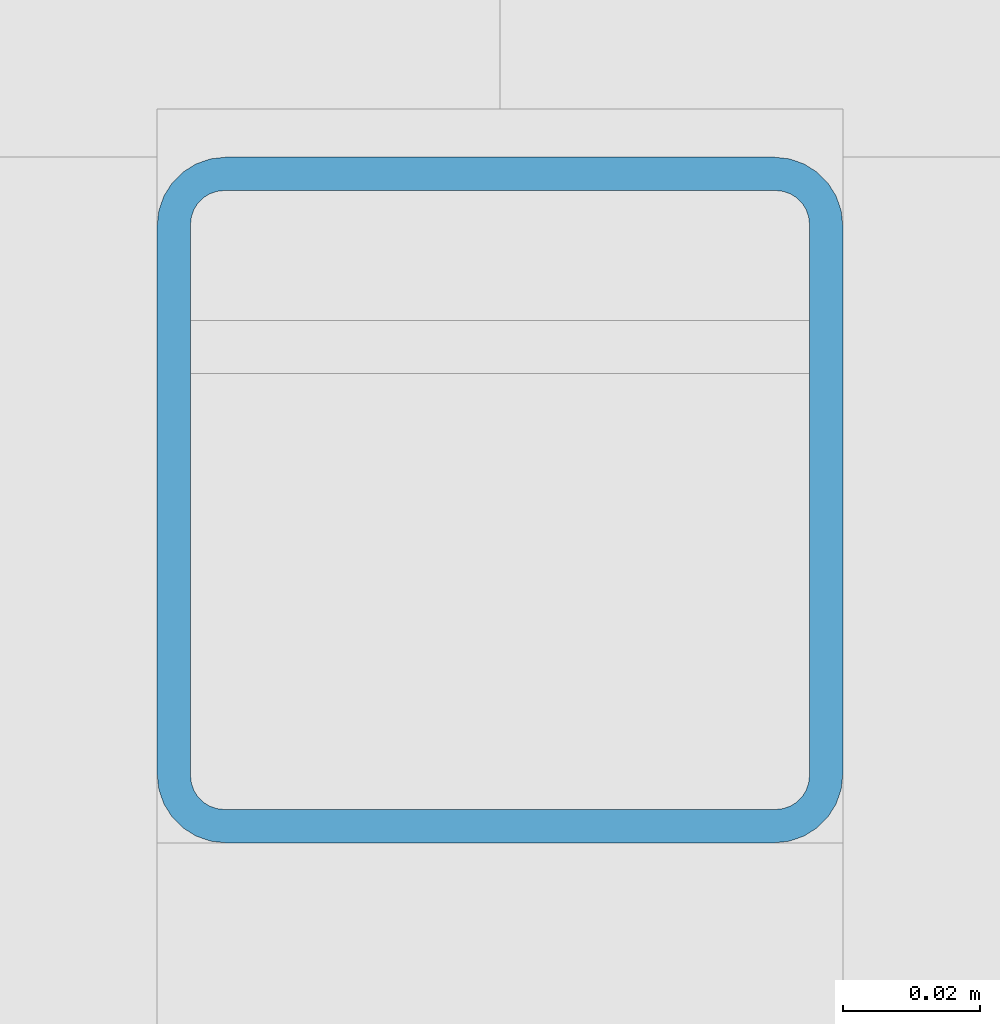
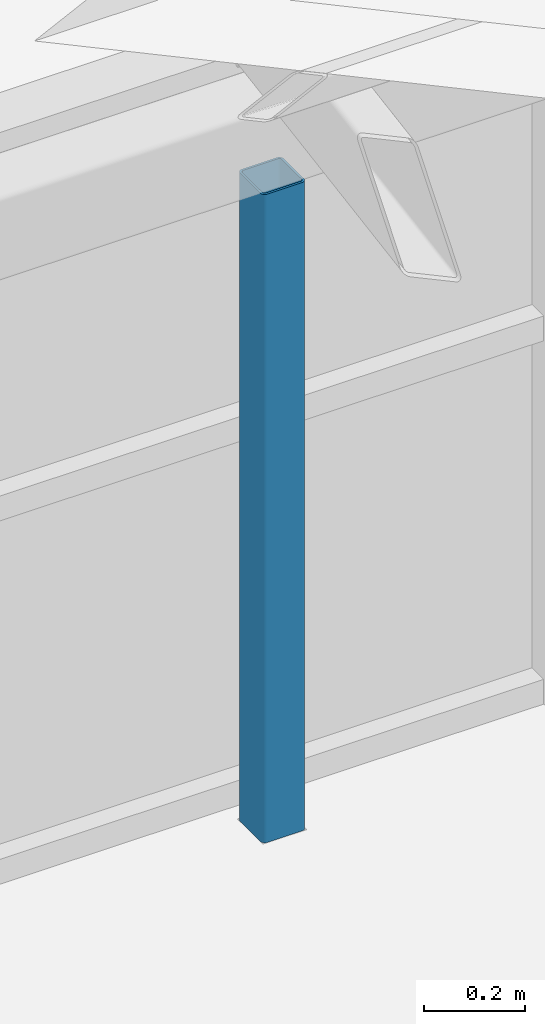
# One storey, part 11 of 42: 1 member.
"""IFC4 building model written with IfcOpenShell, lengths in metres."""

from ifc_helpers import new_model, si_unit, direction, frame, origin, origin_2d, place, context, subcontext, project, spatial, hollow_rectangle, extrude, material, material_profile, profile_set, type_object, element, save


model = new_model("IFC4")

# Units and contexts
model_context = context("Model", 3, precision=1e-05, world=origin(), true_north=direction((0.0, 1.0)))
body_context = subcontext(model_context, "Body", "Model", "MODEL_VIEW")
ifc_project = project(units=[si_unit("LENGTHUNIT", "METRE"), si_unit("AREAUNIT", "SQUARE_METRE"), si_unit("VOLUMEUNIT", "CUBIC_METRE"), si_unit("PLANEANGLEUNIT", "RADIAN"), si_unit("MASSUNIT", "GRAM", prefix="KILO")], contexts=[model_context])

# Site, building, storey
site_placement = place(None, origin())
site = spatial("IfcSite", under=ifc_project, at=site_placement, CompositionType="ELEMENT")
building_placement = place(site_placement, origin())
building = spatial("IfcBuilding", under=site, at=building_placement, Name="Ardhachandra Cancer Care Centre", CompositionType="ELEMENT")
storey_placement = place(building_placement, frame((0.0, 0.0, 22.5)))
storey = spatial("IfcBuildingStorey", under=building, at=storey_placement, Name="L05", CompositionType="ELEMENT", Elevation=22.5)

# Member
ifc_material = material(Name="Steel E350 (IS 2062)", Category="steel")
ifc_material_profile = material_profile(ifc_material, hollow_rectangle(XDim=0.10009765625, YDim=0.10009765625, WallThickness=0.0048828125, InnerFilletRadius=0.0048828125, OuterFilletRadius=0.010009765625, at=origin_2d()), Name="SHS 100x100x5.0")
ifc_profile_set = profile_set([ifc_material_profile], Name="Steel E350 (IS 2062)")
member_type = type_object("IfcMemberType", Name="Sawtooth ridge post SHS 100x100x5.0", PredefinedType="POST", material=ifc_profile_set)
member_placement = place(storey_placement, frame((27.60009765625, 88.14990234375, 0.0), z_axis=(0.0, 0.0, 1.0), x_axis=(1.0, 0.0, 0.0)))
element("IfcMember", 1, at=member_placement, inside=storey, type_object=member_type, Name="Ridge post NT2a.3", PredefinedType="POST", context=body_context, shape_type="SweptSolid", body=[
    extrude(hollow_rectangle(XDim=0.10009765625, YDim=0.10009765625, WallThickness=0.0048828125, InnerFilletRadius=0.0048828125, OuterFilletRadius=0.010009765625, at=origin_2d()), origin(), (0.0, 0.0, 1.0), 1.570068359375),
])

save(model, "model.ifc")
